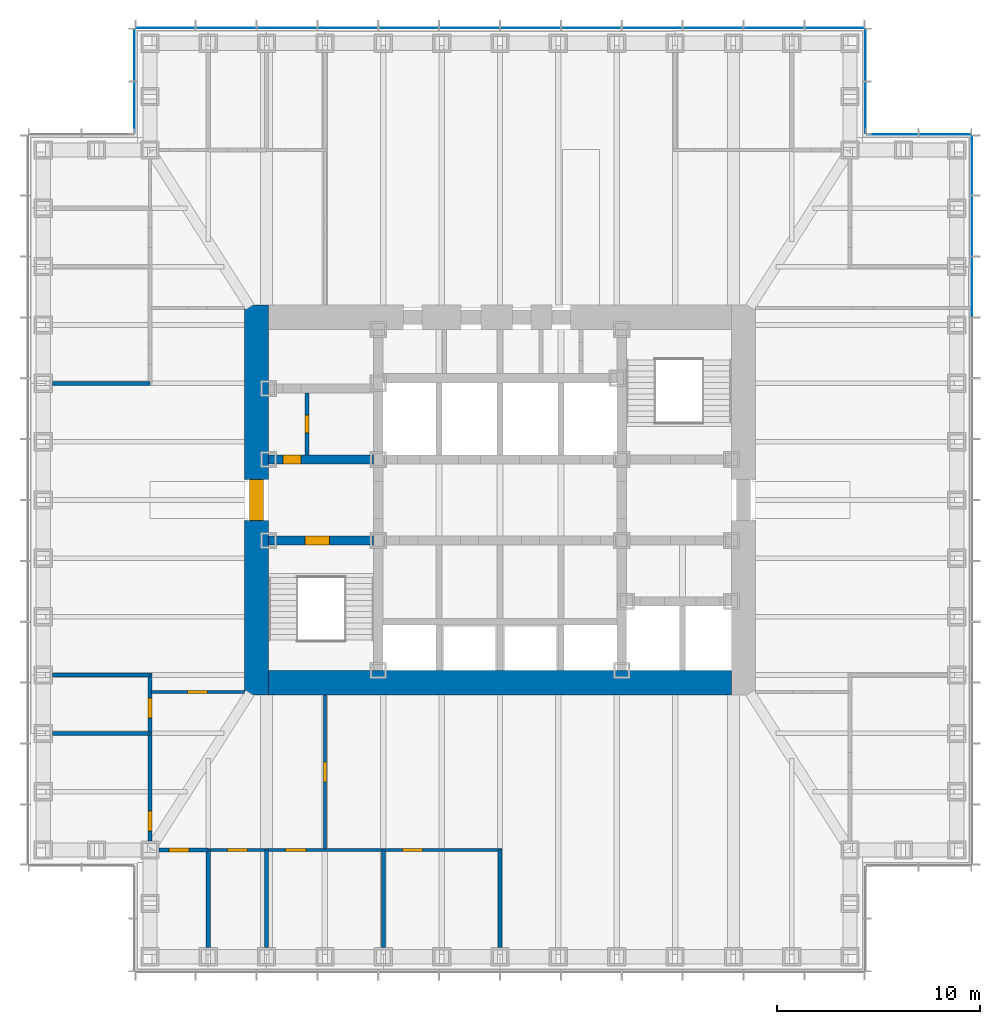
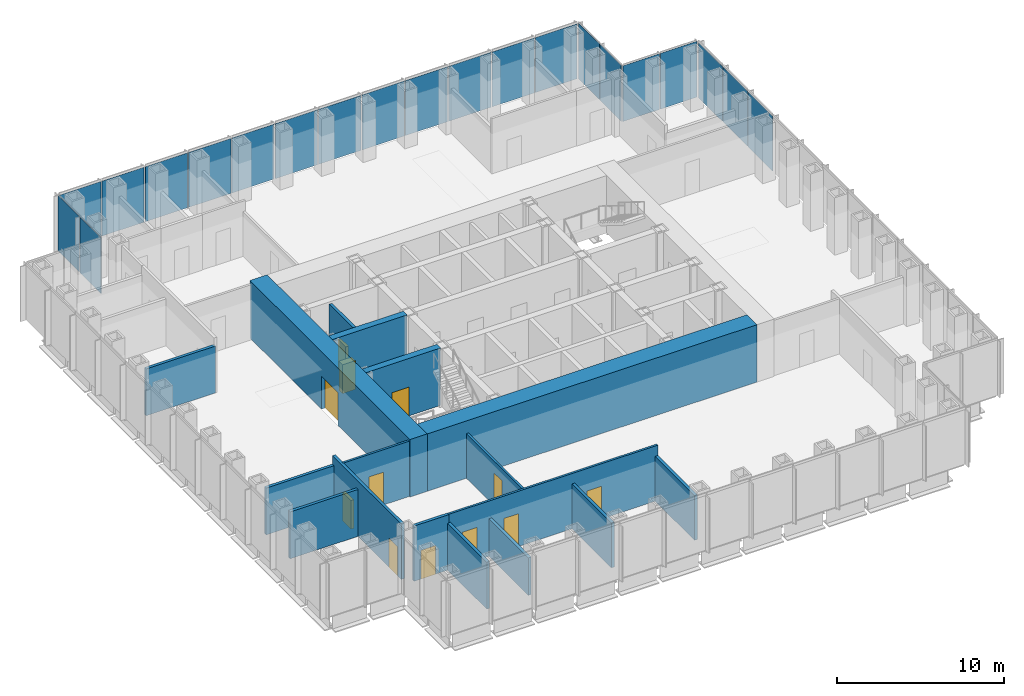
# One storey, part 8 of 17: 21 plates, 17 walls, 12 doors, 12 openings, 5 elements without a shape of their own.
"""IFC4 building model written with IfcOpenShell, lengths in metres."""

from ifc_helpers import new_model, si_unit, direction, frame, frame_2d, origin, origin_2d, place, context, subcontext, project, spatial, rectangle, extrude, material, layer, layer_set, type_object, element, fill, aggregate, save


model = new_model("IFC4")

# Units and contexts
model_context = context("Model", 3, precision=1e-05, world=origin(), true_north=direction((0.0, 1.0)))
body_context = subcontext(model_context, "Body", "Model", "MODEL_VIEW")
ifc_project = project(units=[si_unit("LENGTHUNIT", "METRE"), si_unit("AREAUNIT", "SQUARE_METRE"), si_unit("VOLUMEUNIT", "CUBIC_METRE"), si_unit("PLANEANGLEUNIT", "RADIAN"), si_unit("MASSUNIT", "GRAM", prefix="KILO")], contexts=[model_context])

# Site, building, storey
site_placement = place(None, origin())
site = spatial("IfcSite", under=ifc_project, at=site_placement, CompositionType="ELEMENT")
building_placement = place(site_placement, origin())
building = spatial("IfcBuilding", under=site, at=building_placement, Name="Daluyong Arena Tower", CompositionType="ELEMENT")
storey_placement = place(building_placement, frame((0.0, 0.0, 158.5)))
storey = spatial("IfcBuildingStorey", under=building, at=storey_placement, Name="L35", CompositionType="ELEMENT", Elevation=158.5)

# Curtain wall, plates
ifc_material_1 = material(Name="Bronze anodised aluminium and glass", Category="aluminium")
curtain_wall_type_1 = type_object("IfcCurtainWallType", Name="Curtain wall CW2", PredefinedType="USERDEFINED", material=ifc_material_1)
curtain_wall_1_placement = place(storey_placement, origin())
curtain_wall_1 = element("IfcCurtainWall", 1, at=curtain_wall_1_placement, inside=storey, type_object=curtain_wall_type_1, Name="curtain wall L35 E", ObjectType="UNITISED CURTAIN WALL", PredefinedType="USERDEFINED")
ifc_material_2 = material(Name="Tinted double glazed unit", Category="glass")
ifc_layer_1 = layer(ifc_material_2, 0.031982421875)
ifc_layer_set_1 = layer_set([ifc_layer_1], Name="Tinted double glazed unit")
plate_type_1 = type_object("IfcPlateType", Name="CW2 panel 32", PredefinedType="CURTAIN_PANEL", material=ifc_layer_set_1)
plate_1_placement = place(storey_placement, frame((79.25, 90.5, 0.0), z_axis=(0.0, 0.0, 1.0), x_axis=(0.0, 1.0, 0.0)))
plate_1 = element("IfcPlate", 2, at=plate_1_placement, type_object=plate_type_1, Name="curtain wall L35 E panel 10", PredefinedType="CURTAIN_PANEL", context=body_context, shape_type="SweptSolid", body=[
    extrude(rectangle(XDim=2.919921875, YDim=0.031982421875, at=origin_2d()), origin(), (0.0, 0.0, 1.0), 4.02001953125),
])
plate_2_placement = place(storey_placement, frame((79.25, 93.5, 0.0), z_axis=(0.0, 0.0, 1.0), x_axis=(0.0, 1.0, 0.0)))
plate_2 = element("IfcPlate", 3, at=plate_2_placement, type_object=plate_type_1, Name="curtain wall L35 E panel 11", PredefinedType="CURTAIN_PANEL", context=body_context, shape_type="SweptSolid", body=[
    extrude(rectangle(XDim=2.919921875, YDim=0.031982421875, at=origin_2d()), origin(), (0.0, 0.0, 1.0), 4.02001953125),
])
plate_3_placement = place(storey_placement, frame((79.25, 96.47998046875, 0.0), z_axis=(0.0, 0.0, 1.0), x_axis=(0.0, 1.0, 0.0)))
plate_3 = element("IfcPlate", 4, at=plate_3_placement, type_object=plate_type_1, Name="curtain wall L35 E panel 12", PredefinedType="CURTAIN_PANEL", context=body_context, shape_type="SweptSolid", body=[
    extrude(rectangle(XDim=2.8798828125, YDim=0.031982421875, at=origin_2d()), origin(), (0.0, 0.0, 1.0), 4.02001953125),
])
aggregate(curtain_wall_1, [plate_1, plate_2, plate_3])

curtain_wall_2_placement = place(storey_placement, origin())
curtain_wall_2 = element("IfcCurtainWall", 5, at=curtain_wall_2_placement, inside=storey, type_object=curtain_wall_type_1, Name="curtain wall L35 N", ObjectType="UNITISED CURTAIN WALL", PredefinedType="USERDEFINED")
plate_4_placement = place(storey_placement, frame((72.47998046875, 103.25, 0.0), z_axis=(0.0, 0.0, 1.0), x_axis=(-1.0, 0.0, 0.0)))
plate_4 = element("IfcPlate", 6, at=plate_4_placement, type_object=plate_type_1, Name="curtain wall L35 N panel 1", PredefinedType="CURTAIN_PANEL", context=body_context, shape_type="SweptSolid", body=[
    extrude(rectangle(XDim=2.8798828125, YDim=0.031982421875, at=origin_2d()), origin(), (0.0, 0.0, 1.0), 4.02001953125),
])
plate_5_placement = place(storey_placement, frame((69.5, 103.25, 0.0), z_axis=(0.0, 0.0, 1.0), x_axis=(-1.0, 0.0, 0.0)))
plate_5 = element("IfcPlate", 7, at=plate_5_placement, type_object=plate_type_1, Name="curtain wall L35 N panel 2", PredefinedType="CURTAIN_PANEL", context=body_context, shape_type="SweptSolid", body=[
    extrude(rectangle(XDim=2.919921875, YDim=0.031982421875, at=origin_2d()), origin(), (0.0, 0.0, 1.0), 4.02001953125),
])
plate_6_placement = place(storey_placement, frame((66.5, 103.25, 0.0), z_axis=(0.0, 0.0, 1.0), x_axis=(-1.0, 0.0, 0.0)))
plate_6 = element("IfcPlate", 8, at=plate_6_placement, type_object=plate_type_1, Name="curtain wall L35 N panel 3", PredefinedType="CURTAIN_PANEL", context=body_context, shape_type="SweptSolid", body=[
    extrude(rectangle(XDim=2.919921875, YDim=0.031982421875, at=origin_2d()), origin(), (0.0, 0.0, 1.0), 4.02001953125),
])
plate_7_placement = place(storey_placement, frame((63.5, 103.25, 0.0), z_axis=(0.0, 0.0, 1.0), x_axis=(-1.0, 0.0, 0.0)))
plate_7 = element("IfcPlate", 9, at=plate_7_placement, type_object=plate_type_1, Name="curtain wall L35 N panel 4", PredefinedType="CURTAIN_PANEL", context=body_context, shape_type="SweptSolid", body=[
    extrude(rectangle(XDim=2.919921875, YDim=0.031982421875, at=origin_2d()), origin(), (0.0, 0.0, 1.0), 4.02001953125),
])
plate_8_placement = place(storey_placement, frame((60.5, 103.25, 0.0), z_axis=(0.0, 0.0, 1.0), x_axis=(-1.0, 0.0, 0.0)))
plate_8 = element("IfcPlate", 10, at=plate_8_placement, type_object=plate_type_1, Name="curtain wall L35 N panel 5", PredefinedType="CURTAIN_PANEL", context=body_context, shape_type="SweptSolid", body=[
    extrude(rectangle(XDim=2.919921875, YDim=0.031982421875, at=origin_2d()), origin(), (0.0, 0.0, 1.0), 4.02001953125),
])
plate_9_placement = place(storey_placement, frame((57.5, 103.25, 0.0), z_axis=(0.0, 0.0, 1.0), x_axis=(-1.0, 0.0, 0.0)))
plate_9 = element("IfcPlate", 11, at=plate_9_placement, type_object=plate_type_1, Name="curtain wall L35 N panel 6", PredefinedType="CURTAIN_PANEL", context=body_context, shape_type="SweptSolid", body=[
    extrude(rectangle(XDim=2.919921875, YDim=0.031982421875, at=origin_2d()), origin(), (0.0, 0.0, 1.0), 4.02001953125),
])
plate_10_placement = place(storey_placement, frame((54.5, 103.25, 0.0), z_axis=(0.0, 0.0, 1.0), x_axis=(-1.0, 0.0, 0.0)))
plate_10 = element("IfcPlate", 12, at=plate_10_placement, type_object=plate_type_1, Name="curtain wall L35 N panel 7", PredefinedType="CURTAIN_PANEL", context=body_context, shape_type="SweptSolid", body=[
    extrude(rectangle(XDim=2.919921875, YDim=0.031982421875, at=origin_2d()), origin(), (0.0, 0.0, 1.0), 4.02001953125),
])
plate_11_placement = place(storey_placement, frame((51.5, 103.25, 0.0), z_axis=(0.0, 0.0, 1.0), x_axis=(-1.0, 0.0, 0.0)))
plate_11 = element("IfcPlate", 13, at=plate_11_placement, type_object=plate_type_1, Name="curtain wall L35 N panel 8", PredefinedType="CURTAIN_PANEL", context=body_context, shape_type="SweptSolid", body=[
    extrude(rectangle(XDim=2.919921875, YDim=0.031982421875, at=origin_2d()), origin(), (0.0, 0.0, 1.0), 4.02001953125),
])
plate_12_placement = place(storey_placement, frame((48.5, 103.25, 0.0), z_axis=(0.0, 0.0, 1.0), x_axis=(-1.0, 0.0, 0.0)))
plate_12 = element("IfcPlate", 14, at=plate_12_placement, type_object=plate_type_1, Name="curtain wall L35 N panel 9", PredefinedType="CURTAIN_PANEL", context=body_context, shape_type="SweptSolid", body=[
    extrude(rectangle(XDim=2.919921875, YDim=0.031982421875, at=origin_2d()), origin(), (0.0, 0.0, 1.0), 4.02001953125),
])
plate_13_placement = place(storey_placement, frame((45.5, 103.25, 0.0), z_axis=(0.0, 0.0, 1.0), x_axis=(-1.0, 0.0, 0.0)))
plate_13 = element("IfcPlate", 15, at=plate_13_placement, type_object=plate_type_1, Name="curtain wall L35 N panel 10", PredefinedType="CURTAIN_PANEL", context=body_context, shape_type="SweptSolid", body=[
    extrude(rectangle(XDim=2.919921875, YDim=0.031982421875, at=origin_2d()), origin(), (0.0, 0.0, 1.0), 4.02001953125),
])
plate_14_placement = place(storey_placement, frame((42.5, 103.25, 0.0), z_axis=(0.0, 0.0, 1.0), x_axis=(-1.0, 0.0, 0.0)))
plate_14 = element("IfcPlate", 16, at=plate_14_placement, type_object=plate_type_1, Name="curtain wall L35 N panel 11", PredefinedType="CURTAIN_PANEL", context=body_context, shape_type="SweptSolid", body=[
    extrude(rectangle(XDim=2.919921875, YDim=0.031982421875, at=origin_2d()), origin(), (0.0, 0.0, 1.0), 4.02001953125),
])
plate_15_placement = place(storey_placement, frame((39.52001953125, 103.25, 0.0), z_axis=(0.0, 0.0, 1.0), x_axis=(-1.0, 0.0, 0.0)))
plate_15 = element("IfcPlate", 17, at=plate_15_placement, type_object=plate_type_1, Name="curtain wall L35 N panel 12", PredefinedType="CURTAIN_PANEL", context=body_context, shape_type="SweptSolid", body=[
    extrude(rectangle(XDim=2.8798828125, YDim=0.031982421875, at=origin_2d()), origin(), (0.0, 0.0, 1.0), 4.02001953125),
])
aggregate(curtain_wall_2, [plate_4, plate_5, plate_6, plate_7, plate_8, plate_9, plate_10, plate_11, plate_12, plate_13, plate_14, plate_15])

ifc_material_3 = material(Name="Bronze anodised aluminium and glass", Category="aluminium")
curtain_wall_type_2 = type_object("IfcCurtainWallType", Name="Curtain wall CW7", PredefinedType="USERDEFINED", material=ifc_material_3)
curtain_wall_3_placement = place(storey_placement, origin())
curtain_wall_3 = element("IfcCurtainWall", 18, at=curtain_wall_3_placement, inside=storey, type_object=curtain_wall_type_2, Name="curtain wall L35 NE-N", ObjectType="UNITISED CURTAIN WALL", PredefinedType="USERDEFINED")
ifc_material_4 = material(Name="Tinted double glazed unit", Category="glass")
ifc_layer_2 = layer(ifc_material_4, 0.028076171875)
ifc_layer_set_2 = layer_set([ifc_layer_2], Name="Tinted double glazed unit")
plate_type_2 = type_object("IfcPlateType", Name="CW7 panel 28", PredefinedType="CURTAIN_PANEL", material=ifc_layer_set_2)
plate_16_placement = place(storey_placement, frame((77.922607421875, 98.0, 0.0), z_axis=(0.0, 0.0, 1.0), x_axis=(-1.0, 0.0, 0.0)))
plate_16 = element("IfcPlate", 19, at=plate_16_placement, type_object=plate_type_2, Name="curtain wall L35 NE-N panel 1", PredefinedType="CURTAIN_PANEL", context=body_context, shape_type="SweptSolid", body=[
    extrude(rectangle(XDim=2.534912109375, YDim=0.028076171875, at=origin_2d()), origin(), (0.0, 0.0, 1.0), 4.080078125),
])
plate_17_placement = place(storey_placement, frame((75.327392578125, 98.0, 0.0), z_axis=(0.0, 0.0, 1.0), x_axis=(-1.0, 0.0, 0.0)))
plate_17 = element("IfcPlate", 20, at=plate_17_placement, type_object=plate_type_2, Name="curtain wall L35 NE-N panel 2", PredefinedType="CURTAIN_PANEL", context=body_context, shape_type="SweptSolid", body=[
    extrude(rectangle(XDim=2.534912109375, YDim=0.028076171875, at=origin_2d()), origin(), (0.0, 0.0, 1.0), 4.080078125),
])
aggregate(curtain_wall_3, [plate_16, plate_17])

curtain_wall_4_placement = place(storey_placement, origin())
curtain_wall_4 = element("IfcCurtainWall", 21, at=curtain_wall_4_placement, inside=storey, type_object=curtain_wall_type_2, Name="curtain wall L35 NE-E", ObjectType="UNITISED CURTAIN WALL", PredefinedType="USERDEFINED")
plate_18_placement = place(storey_placement, frame((74.0, 99.327392578125, 0.0), z_axis=(0.0, 0.0, 1.0), x_axis=(0.0, 1.0, 0.0)))
plate_18 = element("IfcPlate", 22, at=plate_18_placement, type_object=plate_type_2, Name="curtain wall L35 NE-E panel 1", PredefinedType="CURTAIN_PANEL", context=body_context, shape_type="SweptSolid", body=[
    extrude(rectangle(XDim=2.534912109375, YDim=0.028076171875, at=origin_2d()), origin(), (0.0, 0.0, 1.0), 4.080078125),
])
plate_19_placement = place(storey_placement, frame((74.0, 101.922607421875, 0.0), z_axis=(0.0, 0.0, 1.0), x_axis=(0.0, 1.0, 0.0)))
plate_19 = element("IfcPlate", 23, at=plate_19_placement, type_object=plate_type_2, Name="curtain wall L35 NE-E panel 2", PredefinedType="CURTAIN_PANEL", context=body_context, shape_type="SweptSolid", body=[
    extrude(rectangle(XDim=2.534912109375, YDim=0.028076171875, at=origin_2d()), origin(), (0.0, 0.0, 1.0), 4.080078125),
])
aggregate(curtain_wall_4, [plate_18, plate_19])

curtain_wall_5_placement = place(storey_placement, origin())
curtain_wall_5 = element("IfcCurtainWall", 24, at=curtain_wall_5_placement, inside=storey, type_object=curtain_wall_type_2, Name="curtain wall L35 NW-W", ObjectType="UNITISED CURTAIN WALL", PredefinedType="USERDEFINED")
plate_20_placement = place(storey_placement, frame((38.0, 101.922607421875, 0.0), z_axis=(0.0, 0.0, 1.0), x_axis=(0.0, -1.0, 0.0)))
plate_20 = element("IfcPlate", 25, at=plate_20_placement, type_object=plate_type_2, Name="curtain wall L35 NW-W panel 1", PredefinedType="CURTAIN_PANEL", context=body_context, shape_type="SweptSolid", body=[
    extrude(rectangle(XDim=2.534912109375, YDim=0.028076171875, at=origin_2d()), origin(), (0.0, 0.0, 1.0), 4.080078125),
])
plate_21_placement = place(storey_placement, frame((38.0, 99.327392578125, 0.0), z_axis=(0.0, 0.0, 1.0), x_axis=(0.0, -1.0, 0.0)))
plate_21 = element("IfcPlate", 26, at=plate_21_placement, type_object=plate_type_2, Name="curtain wall L35 NW-W panel 2", PredefinedType="CURTAIN_PANEL", context=body_context, shape_type="SweptSolid", body=[
    extrude(rectangle(XDim=2.534912109375, YDim=0.028076171875, at=origin_2d()), origin(), (0.0, 0.0, 1.0), 4.080078125),
])
aggregate(curtain_wall_5, [plate_20, plate_21])

# Wall, opening, door
ifc_material_5 = material(Name="Concrete fc' 45 MPa", Category="concrete")
ifc_layer_3 = layer(ifc_material_5, 0.449951171875)
ifc_layer_set_3 = layer_set([ifc_layer_3], Name="Concrete fc' 45 MPa")
wall_type_1 = type_object("IfcWallType", Name="Core inner wall 450", PredefinedType="SHEAR", material=ifc_layer_set_3)
wall_1_placement = place(storey_placement, frame((44.60009765625, 78.0, 0.0), z_axis=(0.0, 0.0, 1.0), x_axis=(1.0, 0.0, 0.0)))
wall_1 = element("IfcWall", 27, at=wall_1_placement, inside=storey, type_object=wall_type_1, Name="core inner wall at L35", PredefinedType="SHEAR", context=body_context, shape_type="SweptSolid", body=[
    extrude(rectangle(XDim=5.1748046875, YDim=0.449951171875, at=frame_2d((2.58740234375, 0.0))), origin(), (0.0, 0.0, 1.0), 4.199951171875),
])
opening_1_placement = place(wall_1_placement, frame((1.800048828125, 0.0, 0.0)))
opening_1 = element("IfcOpeningElement", 28, at=opening_1_placement, cuts=wall_1, Name="Opening 35013", PredefinedType="OPENING", context=body_context, shape_type="SweptSolid", body=[
    extrude(rectangle(XDim=1.199951171875, YDim=2.10009765625, at=frame_2d((0.60009765625, 1.050048828125))), frame((0.0, 0.23486328125, 0.0), z_axis=(0.0, -1.0, 0.0), x_axis=(1.0, 0.0, 0.0)), (0.0, 0.0, 1.0), 0.469970703125),
])
ifc_material_6 = material(Name="Steel door, fire rated", Category="steel")
door_type_1 = type_object("IfcDoorType", Name="Stair door 1200", OperationType="SINGLE_SWING_LEFT", PredefinedType="DOOR", material=ifc_material_6)
door_1_placement = place(opening_1_placement, origin())
door_1 = element("IfcDoor", 29, at=door_1_placement, inside=storey, type_object=door_type_1, Name="stair A door 35013", OperationType="SINGLE_SWING_LEFT", OverallHeight=2.10009765625, OverallWidth=1.199951171875, PredefinedType="DOOR", context=body_context, shape_type="SweptSolid", body=[
    extrude(rectangle(XDim=1.199951171875, YDim=2.10009765625, at=frame_2d((0.60009765625, 1.050048828125))), frame((0.0, 0.224609375, 0.0), z_axis=(0.0, -1.0, 0.0), x_axis=(1.0, 0.0, 0.0)), (0.0, 0.0, 1.0), 0.449462890625),
])
fill(opening_1, door_1)

wall_2_placement = place(storey_placement, frame((44.60009765625, 82.0, 0.0), z_axis=(0.0, 0.0, 1.0), x_axis=(1.0, 0.0, 0.0)))
wall_2 = element("IfcWall", 30, at=wall_2_placement, inside=storey, type_object=wall_type_1, Name="core inner wall at L35", PredefinedType="SHEAR", context=body_context, shape_type="SweptSolid", body=[
    extrude(rectangle(XDim=5.1748046875, YDim=0.449951171875, at=frame_2d((2.58740234375, 0.0))), origin(), (0.0, 0.0, 1.0), 4.199951171875),
])
opening_2_placement = place(wall_2_placement, frame((0.699951171875, 0.0, 0.0)))
opening_2 = element("IfcOpeningElement", 31, at=opening_2_placement, cuts=wall_2, Name="Opening 35001", PredefinedType="OPENING", context=body_context, shape_type="SweptSolid", body=[
    extrude(rectangle(XDim=0.89990234375, YDim=2.10009765625, at=frame_2d((0.449951171875, 1.050048828125))), frame((0.0, 0.23486328125, 0.0), z_axis=(0.0, -1.0, 0.0), x_axis=(1.0, 0.0, 0.0)), (0.0, 0.0, 1.0), 0.469970703125),
])
ifc_material_7 = material(Name="Steel door, fire rated", Category="steel")
door_type_2 = type_object("IfcDoorType", Name="Core room door 900", OperationType="SINGLE_SWING_LEFT", PredefinedType="DOOR", material=ifc_material_7)
door_2_placement = place(opening_2_placement, origin())
door_2 = element("IfcDoor", 32, at=door_2_placement, inside=storey, type_object=door_type_2, Name="toilet lobby door 35001", OperationType="SINGLE_SWING_LEFT", OverallHeight=2.10009765625, OverallWidth=0.89990234375, PredefinedType="DOOR", context=body_context, shape_type="SweptSolid", body=[
    extrude(rectangle(XDim=0.89990234375, YDim=2.10009765625, at=frame_2d((0.449951171875, 1.050048828125))), frame((0.0, 0.224609375, 0.0), z_axis=(0.0, -1.0, 0.0), x_axis=(1.0, 0.0, 0.0)), (0.0, 0.0, 1.0), 0.449462890625),
])
fill(opening_2, door_2)

ifc_material_8 = material(Name="Concrete fc' 60 MPa", Category="concrete")
ifc_layer_4 = layer(ifc_material_8, 1.199951171875)
ifc_layer_set_4 = layer_set([ifc_layer_4], Name="Concrete fc' 60 MPa")
wall_type_2 = type_object("IfcWallType", Name="Core wall 1200", PredefinedType="SHEAR", material=ifc_layer_set_4)
wall_3_placement = place(storey_placement, frame((44.0, 70.39990234375, 0.0), z_axis=(0.0, 0.0, 1.0), x_axis=(0.0, 1.0, 0.0)))
wall_3 = element("IfcWall", 33, at=wall_3_placement, inside=storey, type_object=wall_type_2, Name="core wall at L35", PredefinedType="SHEAR", context=body_context, shape_type="SweptSolid", body=[
    extrude(rectangle(XDim=19.2001953125, YDim=1.199951171875, at=frame_2d((9.60009765625, 0.0))), origin(), (0.0, 0.0, 1.0), 4.199951171875),
])
opening_3_placement = place(wall_3_placement, frame((8.60009765625, 0.0, 0.0)))
opening_3 = element("IfcOpeningElement", 34, at=opening_3_placement, cuts=wall_3, Name="Opening 35015", PredefinedType="OPENING", context=body_context, shape_type="SweptSolid", body=[
    extrude(rectangle(XDim=2.0, YDim=2.39990234375, at=frame_2d((1.0, 1.199951171875))), frame((0.0, 0.60986328125, 0.0), z_axis=(0.0, -1.0, 0.0), x_axis=(1.0, 0.0, 0.0)), (0.0, 0.0, 1.0), 1.219970703125),
])
ifc_material_9 = material(Name="Steel door, fire rated", Category="steel")
door_type_3 = type_object("IfcDoorType", Name="Core lobby double door 2000", OperationType="DOUBLE_DOOR_SINGLE_SWING", PredefinedType="DOOR", material=ifc_material_9)
door_3_placement = place(opening_3_placement, origin())
door_3 = element("IfcDoor", 35, at=door_3_placement, inside=storey, type_object=door_type_3, Name="core lobby door west 35015", OperationType="DOUBLE_DOOR_SINGLE_SWING", OverallHeight=2.39990234375, OverallWidth=2.0, PredefinedType="DOOR", context=body_context, shape_type="SweptSolid", body=[
    extrude(rectangle(XDim=2.0, YDim=2.39990234375, at=frame_2d((1.0, 1.199951171875))), frame((0.0, 0.35009765625, 0.0), z_axis=(0.0, -1.0, 0.0), x_axis=(1.0, 0.0, 0.0)), (0.0, 0.0, 1.0), 0.699951171875),
])
fill(opening_3, door_3)

# Wall
wall_4_placement = place(storey_placement, frame((44.60009765625, 71.0, 0.0), z_axis=(0.0, 0.0, 1.0), x_axis=(1.0, 0.0, 0.0)))
element("IfcWall", 36, at=wall_4_placement, inside=storey, type_object=wall_type_2, Name="core wall at L35", PredefinedType="SHEAR", context=body_context, shape_type="SweptSolid", body=[
    extrude(rectangle(XDim=22.7998046875, YDim=1.199951171875, at=frame_2d((11.39990234375, 0.0))), origin(), (0.0, 0.0, 1.0), 4.199951171875),
])

# Wall, opening, door
ifc_material_10 = material(Name="Concrete block partition, fire rated", Category="concrete")
ifc_layer_5 = layer(ifc_material_10, 0.199951171875)
ifc_layer_set_5 = layer_set([ifc_layer_5], Name="Concrete block partition, fire rated")
wall_type_3 = type_object("IfcWallType", Name="Fire-rated partition 200", PredefinedType="PARTITIONING", material=ifc_layer_set_5)
wall_5_placement = place(storey_placement, frame((46.5, 82.22509765625, 0.0), z_axis=(0.0, 0.0, 1.0), x_axis=(0.0, 1.0, 0.0)))
wall_5 = element("IfcWall", 37, at=wall_5_placement, inside=storey, type_object=wall_type_3, Name="toilet lobby partition at L35", PredefinedType="PARTITIONING", context=body_context, shape_type="SweptSolid", body=[
    extrude(rectangle(XDim=3.0498046875, YDim=0.199951171875, at=frame_2d((1.52490234375, 0.0))), origin(), (0.0, 0.0, 1.0), 4.0400390625),
])
opening_4_placement = place(wall_5_placement, frame((1.074951171875, 0.0, 0.0)))
opening_4 = element("IfcOpeningElement", 38, at=opening_4_placement, cuts=wall_5, Name="Opening 35002", PredefinedType="OPENING", context=body_context, shape_type="SweptSolid", body=[
    extrude(rectangle(XDim=0.89990234375, YDim=2.10009765625, at=frame_2d((0.449951171875, 1.050048828125))), frame((0.0, 0.10986328125, 0.0), z_axis=(0.0, -1.0, 0.0), x_axis=(1.0, 0.0, 0.0)), (0.0, 0.0, 1.0), 0.219970703125),
])
ifc_material_11 = material(Name="Timber door", Category="wood")
door_type_4 = type_object("IfcDoorType", Name="Toilet door 900", OperationType="SINGLE_SWING_RIGHT", PredefinedType="DOOR", material=ifc_material_11)
door_4_placement = place(opening_4_placement, origin())
door_4 = element("IfcDoor", 39, at=door_4_placement, inside=storey, type_object=door_type_4, Name="male toilet door 35002", OperationType="SINGLE_SWING_RIGHT", OverallHeight=2.10009765625, OverallWidth=0.89990234375, PredefinedType="DOOR", context=body_context, shape_type="SweptSolid", body=[
    extrude(rectangle(XDim=0.89990234375, YDim=2.10009765625, at=frame_2d((0.449951171875, 1.050048828125))), frame((0.0, 0.099609375, 0.0), z_axis=(0.0, -1.0, 0.0), x_axis=(1.0, 0.0, 0.0)), (0.0, 0.0, 1.0), 0.199462890625),
])
fill(opening_4, door_4)

# Wall, openings, doors
ifc_material_12 = material(Name="Glazed aluminium partition", Category="aluminium")
ifc_layer_6 = layer(ifc_material_12, 0.14990234375)
ifc_layer_set_6 = layer_set([ifc_layer_6], Name="Glazed aluminium partition")
wall_type_4 = type_object("IfcWallType", Name="Glazed partition 150", PredefinedType="PARTITIONING", material=ifc_layer_set_6)
wall_6_placement = place(storey_placement, frame((41.625, 62.75, 0.0), z_axis=(0.0, 0.0, 1.0), x_axis=(1.0, 0.0, 0.0)))
wall_6 = element("IfcWall", 40, at=wall_6_placement, inside=storey, type_object=wall_type_4, Name="glazed partition at L35", PredefinedType="PARTITIONING", context=body_context, shape_type="SweptSolid", body=[
    extrude(rectangle(XDim=14.47509765625, YDim=0.14990234375, at=frame_2d((7.237548828125, 0.0))), origin(), (0.0, 0.0, 1.0), 4.0400390625),
])
opening_5_placement = place(wall_6_placement, frame((0.9375, 0.0, 0.0)))
opening_5 = element("IfcOpeningElement", 41, at=opening_5_placement, cuts=wall_6, Name="Opening 35027", PredefinedType="OPENING", context=body_context, shape_type="SweptSolid", body=[
    extrude(rectangle(XDim=1.0, YDim=2.39990234375, at=frame_2d((0.5, 1.199951171875))), frame((0.0, 0.0849609375, 0.0), z_axis=(0.0, -1.0, 0.0), x_axis=(1.0, 0.0, 0.0)), (0.0, 0.0, 1.0), 0.169921875),
])
opening_6_placement = place(wall_6_placement, frame((3.8125, 0.0, 0.0)))
opening_6 = element("IfcOpeningElement", 42, at=opening_6_placement, cuts=wall_6, Name="Opening 35028", PredefinedType="OPENING", context=body_context, shape_type="SweptSolid", body=[
    extrude(rectangle(XDim=1.0, YDim=2.39990234375, at=frame_2d((0.5, 1.199951171875))), frame((0.0, 0.0849609375, 0.0), z_axis=(0.0, -1.0, 0.0), x_axis=(1.0, 0.0, 0.0)), (0.0, 0.0, 1.0), 0.169921875),
])
opening_7_placement = place(wall_6_placement, frame((9.5625, 0.0, 0.0)))
opening_7 = element("IfcOpeningElement", 43, at=opening_7_placement, cuts=wall_6, Name="Opening 35029", PredefinedType="OPENING", context=body_context, shape_type="SweptSolid", body=[
    extrude(rectangle(XDim=1.0, YDim=2.39990234375, at=frame_2d((0.5, 1.199951171875))), frame((0.0, 0.0849609375, 0.0), z_axis=(0.0, -1.0, 0.0), x_axis=(1.0, 0.0, 0.0)), (0.0, 0.0, 1.0), 0.169921875),
])
ifc_material_13 = material(Name="Glazed aluminium door", Category="aluminium")
door_type_5 = type_object("IfcDoorType", Name="Meeting room glazed door 1000", OperationType="SINGLE_SWING_RIGHT", PredefinedType="DOOR", material=ifc_material_13)
door_5_placement = place(opening_5_placement, origin())
door_5 = element("IfcDoor", 44, at=door_5_placement, inside=storey, type_object=door_type_5, Name="focus room door 35027", OperationType="SINGLE_SWING_RIGHT", OverallHeight=2.39990234375, OverallWidth=1.0, PredefinedType="DOOR", context=body_context, shape_type="SweptSolid", body=[
    extrude(rectangle(XDim=1.0, YDim=2.39990234375, at=frame_2d((0.5, 1.199951171875))), frame((0.0, 0.07470703125, 0.0), z_axis=(0.0, -1.0, 0.0), x_axis=(1.0, 0.0, 0.0)), (0.0, 0.0, 1.0), 0.1494140625),
])
fill(opening_5, door_5)
door_6_placement = place(opening_6_placement, origin())
door_6 = element("IfcDoor", 45, at=door_6_placement, inside=storey, type_object=door_type_5, Name="meeting room door 35028", OperationType="SINGLE_SWING_RIGHT", OverallHeight=2.39990234375, OverallWidth=1.0, PredefinedType="DOOR", context=body_context, shape_type="SweptSolid", body=[
    extrude(rectangle(XDim=1.0, YDim=2.39990234375, at=frame_2d((0.5, 1.199951171875))), frame((0.0, 0.07470703125, 0.0), z_axis=(0.0, -1.0, 0.0), x_axis=(1.0, 0.0, 0.0)), (0.0, 0.0, 1.0), 0.1494140625),
])
fill(opening_6, door_6)
door_7_placement = place(opening_7_placement, origin())
door_7 = element("IfcDoor", 46, at=door_7_placement, inside=storey, type_object=door_type_5, Name="meeting room door 35029", OperationType="SINGLE_SWING_RIGHT", OverallHeight=2.39990234375, OverallWidth=1.0, PredefinedType="DOOR", context=body_context, shape_type="SweptSolid", body=[
    extrude(rectangle(XDim=1.0, YDim=2.39990234375, at=frame_2d((0.5, 1.199951171875))), frame((0.0, 0.07470703125, 0.0), z_axis=(0.0, -1.0, 0.0), x_axis=(1.0, 0.0, 0.0)), (0.0, 0.0, 1.0), 0.1494140625),
])
fill(opening_7, door_7)

# Wall, opening, door
wall_7_placement = place(storey_placement, frame((38.800048828125, 70.550048828125, 0.0), z_axis=(0.0, 0.0, 1.0), x_axis=(1.0, 0.0, 0.0)))
wall_7 = element("IfcWall", 47, at=wall_7_placement, inside=storey, type_object=wall_type_4, Name="glazed partition at L35", PredefinedType="PARTITIONING", context=body_context, shape_type="SweptSolid", body=[
    extrude(rectangle(XDim=4.599853515625, YDim=0.14990234375, at=frame_2d((2.2998046875, 0.0))), origin(), (0.0, 0.0, 1.0), 4.0400390625),
])
opening_8_placement = place(wall_7_placement, frame((1.800048828125, 0.0, 0.0)))
opening_8 = element("IfcOpeningElement", 48, at=opening_8_placement, cuts=wall_7, Name="Opening 35042", PredefinedType="OPENING", context=body_context, shape_type="SweptSolid", body=[
    extrude(rectangle(XDim=1.0, YDim=2.39990234375, at=frame_2d((0.5, 1.199951171875))), frame((0.0, 0.0849609375, 0.0), z_axis=(0.0, -1.0, 0.0), x_axis=(1.0, 0.0, 0.0)), (0.0, 0.0, 1.0), 0.169921875),
])
door_8_placement = place(opening_8_placement, origin())
door_8 = element("IfcDoor", 49, at=door_8_placement, inside=storey, type_object=door_type_5, Name="team area screen door 35042", OperationType="SINGLE_SWING_RIGHT", OverallHeight=2.39990234375, OverallWidth=1.0, PredefinedType="DOOR", context=body_context, shape_type="SweptSolid", body=[
    extrude(rectangle(XDim=1.0, YDim=2.39990234375, at=frame_2d((0.5, 1.199951171875))), frame((0.0, 0.07470703125, 0.0), z_axis=(0.0, -1.0, 0.0), x_axis=(1.0, 0.0, 0.0)), (0.0, 0.0, 1.0), 0.1494140625),
])
fill(opening_8, door_8)

wall_8_placement = place(storey_placement, frame((47.375, 62.800048828125, 0.0), z_axis=(0.0, 0.0, 1.0), x_axis=(0.0, 1.0, 0.0)))
wall_8 = element("IfcWall", 50, at=wall_8_placement, inside=storey, type_object=wall_type_4, Name="glazed partition at L35", PredefinedType="PARTITIONING", context=body_context, shape_type="SweptSolid", body=[
    extrude(rectangle(XDim=7.599853515625, YDim=0.14990234375, at=frame_2d((3.7998046875, 0.0))), origin(), (0.0, 0.0, 1.0), 3.278076171875),
])
opening_9_placement = place(wall_8_placement, frame((3.300048828125, 0.0, 0.0)))
opening_9 = element("IfcOpeningElement", 51, at=opening_9_placement, cuts=wall_8, Name="Opening 35046", PredefinedType="OPENING", context=body_context, shape_type="SweptSolid", body=[
    extrude(rectangle(XDim=1.0, YDim=2.39990234375, at=frame_2d((0.5, 1.199951171875))), frame((0.0, 0.0849609375, 0.0), z_axis=(0.0, -1.0, 0.0), x_axis=(1.0, 0.0, 0.0)), (0.0, 0.0, 1.0), 0.169921875),
])
door_9_placement = place(opening_9_placement, origin())
door_9 = element("IfcDoor", 52, at=door_9_placement, inside=storey, type_object=door_type_5, Name="team area screen door 35046", OperationType="SINGLE_SWING_RIGHT", OverallHeight=2.39990234375, OverallWidth=1.0, PredefinedType="DOOR", context=body_context, shape_type="SweptSolid", body=[
    extrude(rectangle(XDim=1.0, YDim=2.39990234375, at=frame_2d((0.5, 1.199951171875))), frame((0.0, 0.07470703125, 0.0), z_axis=(0.0, -1.0, 0.0), x_axis=(1.0, 0.0, 0.0)), (0.0, 0.0, 1.0), 0.1494140625),
])
fill(opening_9, door_9)

# Walls
ifc_material_14 = material(Name="Concrete block partition", Category="concrete")
ifc_layer_7 = layer(ifc_material_14, 0.199951171875)
ifc_layer_set_7 = layer_set([ifc_layer_7], Name="Concrete block partition")
wall_type_5 = type_object("IfcWallType", Name="Partition 200", PredefinedType="PARTITIONING", material=ifc_layer_set_7)
wall_9_placement = place(storey_placement, frame((41.625, 57.949951171875, 0.0), z_axis=(0.0, 0.0, 1.0), x_axis=(0.0, 1.0, 0.0)))
element("IfcWall", 53, at=wall_9_placement, inside=storey, type_object=wall_type_5, Name="partition at L35", PredefinedType="PARTITIONING", context=body_context, shape_type="SweptSolid", body=[
    extrude(rectangle(XDim=4.800048828125, YDim=0.199951171875, at=frame_2d((2.39990234375, 0.0))), origin(), (0.0, 0.0, 1.0), 3.427978515625),
])
wall_10_placement = place(storey_placement, frame((44.5, 57.949951171875, 0.0), z_axis=(0.0, 0.0, 1.0), x_axis=(0.0, 1.0, 0.0)))
element("IfcWall", 54, at=wall_10_placement, inside=storey, type_object=wall_type_5, Name="partition at L35", PredefinedType="PARTITIONING", context=body_context, shape_type="SweptSolid", body=[
    extrude(rectangle(XDim=4.800048828125, YDim=0.199951171875, at=frame_2d((2.39990234375, 0.0))), origin(), (0.0, 0.0, 1.0), 2.739990234375),
])
for number, where, z_axis, x_axis, name in (
    (55, (50.25, 57.949951171875, 0.0), (0.0, 0.0, 1.0), (0.0, 1.0, 0.0), "partition at L35"),
    (56, (56.0, 57.949951171875, 0.0), (0.0, 0.0, 1.0), (0.0, 1.0, 0.0), "partition at L35"),
):
    element("IfcWall", number, at=place(storey_placement, frame(where, z_axis=z_axis, x_axis=x_axis)), inside=storey, type_object=wall_type_5, Name=name, PredefinedType="PARTITIONING", context=body_context, shape_type="SweptSolid", body=[
        extrude(rectangle(XDim=4.800048828125, YDim=0.199951171875, at=frame_2d((2.39990234375, 0.0))), origin(), (0.0, 0.0, 1.0), 3.278076171875),
    ])
for number, where, z_axis, x_axis, name in (
    (57, (33.949951171875, 68.5, 0.0), (0.0, 0.0, 1.0), (1.0, 0.0, 0.0), "partition at L35"),
    (58, (33.949951171875, 71.375, 0.0), (0.0, 0.0, 1.0), (1.0, 0.0, 0.0), "partition at L35"),
    (59, (33.949951171875, 85.75, 0.0), (0.0, 0.0, 1.0), (1.0, 0.0, 0.0), "partition at L35"),
):
    element("IfcWall", number, at=place(storey_placement, frame(where, z_axis=z_axis, x_axis=x_axis)), inside=storey, type_object=wall_type_5, Name=name, PredefinedType="PARTITIONING", context=body_context, shape_type="SweptSolid", body=[
        extrude(rectangle(XDim=4.800048828125, YDim=0.199951171875, at=frame_2d((2.39990234375, 0.0))), origin(), (0.0, 0.0, 1.0), 3.427978515625),
    ])

# Wall, opening, door
wall_11_placement = place(storey_placement, frame((39.199951171875, 62.75, 0.0), z_axis=(0.0, 0.0, 1.0), x_axis=(1.0, 0.0, 0.0)))
wall_11 = element("IfcWall", 60, at=wall_11_placement, inside=storey, type_object=wall_type_5, Name="partition at L35", PredefinedType="PARTITIONING", context=body_context, shape_type="SweptSolid", body=[
    extrude(rectangle(XDim=2.425048828125, YDim=0.199951171875, at=frame_2d((1.21240234375, 0.0))), origin(), (0.0, 0.0, 1.0), 4.0400390625),
])
opening_10_placement = place(wall_11_placement, frame((0.487548828125, 0.0, 0.0)))
opening_10 = element("IfcOpeningElement", 61, at=opening_10_placement, cuts=wall_11, Name="Opening 35026", PredefinedType="OPENING", context=body_context, shape_type="SweptSolid", body=[
    extrude(rectangle(XDim=1.0, YDim=2.10009765625, at=frame_2d((0.5, 1.050048828125))), frame((0.0, 0.10986328125, 0.0), z_axis=(0.0, -1.0, 0.0), x_axis=(1.0, 0.0, 0.0)), (0.0, 0.0, 1.0), 0.219970703125),
])
ifc_material_15 = material(Name="Timber door", Category="wood")
door_type_6 = type_object("IfcDoorType", Name="Room door 1000", OperationType="SINGLE_SWING_LEFT", PredefinedType="DOOR", material=ifc_material_15)
door_10_placement = place(opening_10_placement, origin())
door_10 = element("IfcDoor", 62, at=door_10_placement, inside=storey, type_object=door_type_6, Name="wellness room door 35026", OperationType="SINGLE_SWING_LEFT", OverallHeight=2.10009765625, OverallWidth=1.0, PredefinedType="DOOR", context=body_context, shape_type="SweptSolid", body=[
    extrude(rectangle(XDim=1.0, YDim=2.10009765625, at=frame_2d((0.5, 1.050048828125))), frame((0.0, 0.099609375, 0.0), z_axis=(0.0, -1.0, 0.0), x_axis=(1.0, 0.0, 0.0)), (0.0, 0.0, 1.0), 0.199462890625),
])
fill(opening_10, door_10)

# Wall, openings, doors
wall_12_placement = place(storey_placement, frame((38.75, 63.199951171875, 0.0), z_axis=(0.0, 0.0, 1.0), x_axis=(0.0, 1.0, 0.0)))
wall_12 = element("IfcWall", 63, at=wall_12_placement, inside=storey, type_object=wall_type_5, Name="partition at L35", PredefinedType="PARTITIONING", context=body_context, shape_type="SweptSolid", body=[
    extrude(rectangle(XDim=8.275146484375, YDim=0.199951171875, at=frame_2d((4.1376953125, 0.0))), origin(), (0.0, 0.0, 1.0), 4.0400390625),
])
opening_11_placement = place(wall_12_placement, frame((0.487548828125, 0.0, 0.0)))
opening_11 = element("IfcOpeningElement", 64, at=opening_11_placement, cuts=wall_12, Name="Opening 35037", PredefinedType="OPENING", context=body_context, shape_type="SweptSolid", body=[
    extrude(rectangle(XDim=1.0, YDim=2.10009765625, at=frame_2d((0.5, 1.050048828125))), frame((0.0, 0.10986328125, 0.0), z_axis=(0.0, -1.0, 0.0), x_axis=(1.0, 0.0, 0.0)), (0.0, 0.0, 1.0), 0.219970703125),
])
opening_12_placement = place(wall_12_placement, frame((6.050048828125, 0.0, 0.0)))
opening_12 = element("IfcOpeningElement", 65, at=opening_12_placement, cuts=wall_12, Name="Opening 35038", PredefinedType="OPENING", context=body_context, shape_type="SweptSolid", body=[
    extrude(rectangle(XDim=1.0, YDim=2.10009765625, at=frame_2d((0.5, 1.050048828125))), frame((0.0, 0.10986328125, 0.0), z_axis=(0.0, -1.0, 0.0), x_axis=(1.0, 0.0, 0.0)), (0.0, 0.0, 1.0), 0.219970703125),
])
door_11_placement = place(opening_11_placement, origin())
door_11 = element("IfcDoor", 66, at=door_11_placement, inside=storey, type_object=door_type_6, Name="pantry door 35037", OperationType="SINGLE_SWING_LEFT", OverallHeight=2.10009765625, OverallWidth=1.0, PredefinedType="DOOR", context=body_context, shape_type="SweptSolid", body=[
    extrude(rectangle(XDim=1.0, YDim=2.10009765625, at=frame_2d((0.5, 1.050048828125))), frame((0.0, 0.099609375, 0.0), z_axis=(0.0, -1.0, 0.0), x_axis=(1.0, 0.0, 0.0)), (0.0, 0.0, 1.0), 0.199462890625),
])
fill(opening_11, door_11)
door_12_placement = place(opening_12_placement, origin())
door_12 = element("IfcDoor", 67, at=door_12_placement, inside=storey, type_object=door_type_6, Name="wellness room door 35038", OperationType="SINGLE_SWING_LEFT", OverallHeight=2.10009765625, OverallWidth=1.0, PredefinedType="DOOR", context=body_context, shape_type="SweptSolid", body=[
    extrude(rectangle(XDim=1.0, YDim=2.10009765625, at=frame_2d((0.5, 1.050048828125))), frame((0.0, 0.099609375, 0.0), z_axis=(0.0, -1.0, 0.0), x_axis=(1.0, 0.0, 0.0)), (0.0, 0.0, 1.0), 0.199462890625),
])
fill(opening_12, door_12)

save(model, "model.ifc")
